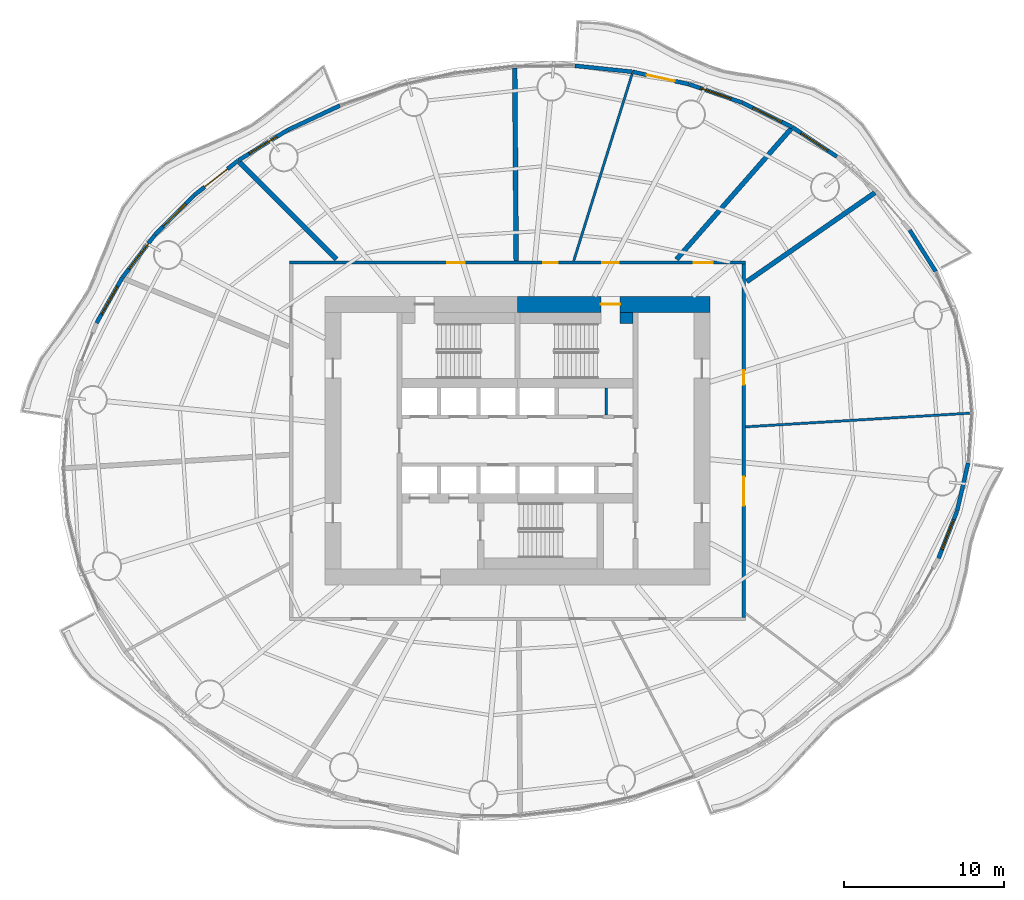
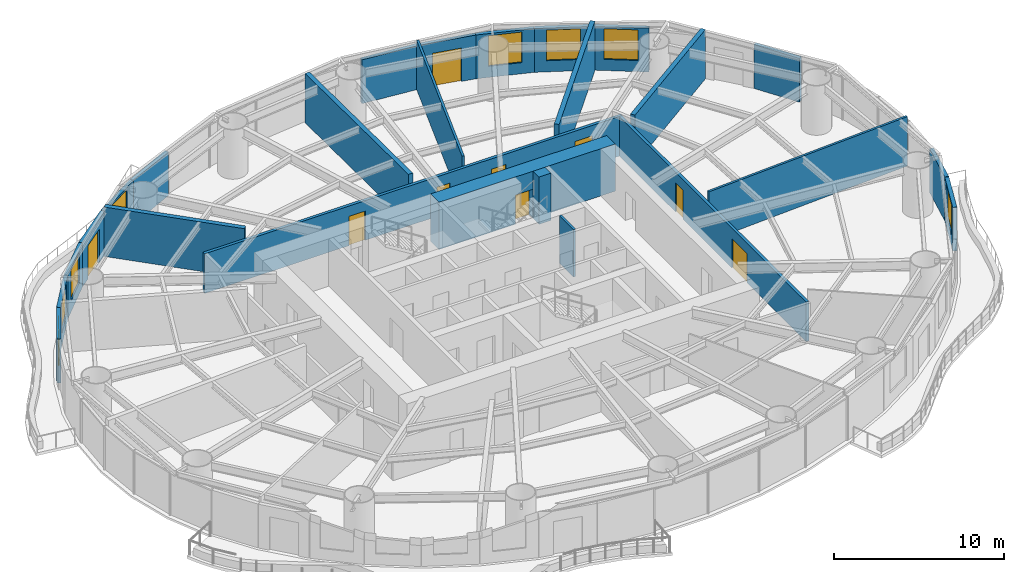
# One storey, part 10 of 16: 25 walls, 9 doors, 8 windows, 17 openings.
"""IFC4 building model written with IfcOpenShell, lengths in metres."""

import ifcopenshell
import ifcopenshell.guid

model = None  # the IFC model being written
_history = None  # IfcOwnerHistory: only IFC2X3 demands one
_inside = {}  # id of a spatial element -> (the spatial element, [elements in it])
_under = {}  # id of a project, library or spatial element -> (it, [spatial elements below it])
_declared = {}  # id of a project -> (the project, [libraries it declares])
_typed = {}  # id of a type object -> (the type object, [elements of that type])
_made_of = {}  # id of a material, layer set ... -> (it, [elements and type objects made of it])


def new_model(schema):
    """Start an empty IFC model of exactly this schema.

    Asked for "IFC4X3", IfcOpenShell would pick the latest addendum, in which some entities
    have other attributes; the version numbers below select the first issue.
    IFC2X3 requires an IfcOwnerHistory on every rooted entity: one is made here for all.
    """
    global model, _history
    if schema == "IFC4X3":
        model = ifcopenshell.file(schema_version=(4, 3, 0, 0))
    else:
        model = ifcopenshell.file(schema=schema)
    _inside.clear()
    _under.clear()
    _declared.clear()
    _typed.clear()
    _made_of.clear()
    _history = None
    if model.schema == "IFC2X3":
        org = make("IfcOrganization", Name="unknown")
        user = make(
            "IfcPersonAndOrganization",
            ThePerson=make("IfcPerson", FamilyName="unknown"),
            TheOrganization=org,
        )
        app = make(
            "IfcApplication",
            ApplicationDeveloper=org,
            Version="unknown",
            ApplicationFullName="unknown",
            ApplicationIdentifier="unknown",
        )
        _history = make(
            "IfcOwnerHistory",
            OwningUser=user,
            OwningApplication=app,
            ChangeAction="ADDED",
            CreationDate=0,
        )
    return model


def make(cls, **values):
    """One entity of the class cls with the attributes given. An attribute that is None is left unset."""
    return model.create_entity(
        cls, **{name: value for name, value in values.items() if value is not None}
    )


def rooted(cls, **values):
    """An entity with a GlobalId (a new one), such as an element, a storey or a relation."""
    return make(cls, GlobalId=ifcopenshell.guid.new(), OwnerHistory=_history, **values)


def si_unit(unit_type, name, prefix=None):
    """IfcSIUnit, for example si_unit("LENGTHUNIT", "METRE", prefix="MILLI")."""
    return make("IfcSIUnit", UnitType=unit_type, Prefix=prefix, Name=name)


def assignment(units):
    """IfcUnitAssignment: the units of a project."""
    return None if units is None else make("IfcUnitAssignment", Units=units)


def point(xyz):
    """IfcCartesianPoint."""
    return None if xyz is None else make("IfcCartesianPoint", Coordinates=xyz)


def direction(xyz):
    """IfcDirection."""
    return None if xyz is None else make("IfcDirection", DirectionRatios=xyz)


def frame(location, z_axis=None, x_axis=None):
    """IfcAxis2Placement3D, a coordinate frame: its origin and axes. An axis left out is left unset."""
    return make(
        "IfcAxis2Placement3D",
        Location=point(location),
        Axis=direction(z_axis),
        RefDirection=direction(x_axis),
    )


def frame_2d(location, x_axis=None):
    """IfcAxis2Placement2D, a coordinate frame in the plane: its origin and x axis."""
    return make(
        "IfcAxis2Placement2D", Location=point(location), RefDirection=direction(x_axis)
    )


def origin():
    """The frame at (0, 0, 0) with its axes left unset."""
    return frame((0.0, 0.0, 0.0))


def place(relative_to, where):
    """IfcLocalPlacement: puts the frame where relative to a parent placement (None: the world)."""
    return make(
        "IfcLocalPlacement", PlacementRelTo=relative_to, RelativePlacement=where
    )


def context(
    kind, dimensions, precision=None, world=None, true_north=None, identifier=None
):
    """IfcGeometricRepresentationContext, for example the 3D "Model" context."""
    return make(
        "IfcGeometricRepresentationContext",
        ContextIdentifier=identifier,
        ContextType=kind,
        CoordinateSpaceDimension=dimensions,
        Precision=precision,
        WorldCoordinateSystem=world,
        TrueNorth=true_north,
    )


def subcontext(parent, identifier, kind, view, scale=None):
    """IfcGeometricRepresentationSubContext, for example "Body" below "Model"."""
    return make(
        "IfcGeometricRepresentationSubContext",
        ContextIdentifier=identifier,
        ContextType=kind,
        ParentContext=parent,
        TargetScale=scale,
        TargetView=view,
    )


def project(units=None, contexts=None):
    """IfcProject with its units and contexts."""
    return rooted(
        "IfcProject",
        Name="project",
        RepresentationContexts=contexts,
        UnitsInContext=assignment(units),
    )


def spatial(cls, under=None, at=None, **own):
    """A site, building, storey or space (cls), placed at a placement, below another one or the project."""
    s = rooted(cls, ObjectPlacement=at, **own)
    if under is not None:
        _under.setdefault(under.id(), (under, []))[1].append(s)
    return s


def profile(cls, at=None, kind="AREA", **sizes):
    """A parametric profile (cls). Its sizes go by their IFC names, for example OverallWidth=200.0."""
    return make(cls, ProfileType=kind, Position=at, **sizes)


def rectangle(**sizes):
    """IfcRectangleProfileDef."""
    return profile("IfcRectangleProfileDef", **sizes)


def extrude(swept, where, along, depth):
    """IfcExtrudedAreaSolid: the profile swept, set in the frame where, extruded along a direction by depth."""
    return make(
        "IfcExtrudedAreaSolid",
        SweptArea=swept,
        Position=where,
        ExtrudedDirection=direction(along),
        Depth=depth,
    )


def shape(context_of_items, identifier, shape_type, items):
    """IfcShapeRepresentation: the items that make up one representation, for example the "Body"."""
    return make(
        "IfcShapeRepresentation",
        ContextOfItems=context_of_items,
        RepresentationIdentifier=identifier,
        RepresentationType=shape_type,
        Items=items,
    )


def material(Name=None, Category=None):
    """IfcMaterial."""
    return make("IfcMaterial", Name=Name, Category=Category)


def layer(
    of_material, thickness, ventilated=None, Name=None, Category=None, Priority=None
):
    """IfcMaterialLayer: one layer of a wall or slab, of a material (None: an air gap)."""
    return make(
        "IfcMaterialLayer",
        Material=of_material,
        LayerThickness=thickness,
        IsVentilated=ventilated,
        Name=Name,
        Category=Category,
        Priority=Priority,
    )


def layer_set(layers, Name=None):
    """IfcMaterialLayerSet."""
    return make("IfcMaterialLayerSet", MaterialLayers=layers, LayerSetName=Name)


def made_of(thing, what):
    """Note that an element or type object is made of a material, layer set ...; save() writes the relation."""
    if what is not None:
        _made_of.setdefault(what.id(), (what, []))[1].append(thing)
    return thing


def type_object(cls, material=None, **own):
    """A type object (cls), such as IfcWallType, which elements share."""
    return made_of(rooted(cls, **own), material)


def element(
    cls,
    number,
    at=None,
    inside=None,
    cuts=None,
    type_object=None,
    material=None,
    context=None,
    identifier="Body",
    shape_type=None,
    held_by="IfcProductDefinitionShape",
    body=None,
    shapes=None,
    **own,
):
    """One element of the class cls, such as IfcWall. Its Tag is "e" and its number.

    at: its placement. inside: the storey or other place that contains it. cuts: it is an
    opening in that element (IfcRelVoidsElement). A single representation is given by context,
    identifier, shape_type and body (its items); several are given by shapes. held_by: the class
    of the entity that holds the representations. save() writes the other relations.
    """
    e = rooted(cls, Tag="e%d" % number, ObjectPlacement=at, **own)
    if body is not None:
        shapes = [shape(context, identifier, shape_type, body)]
    if shapes is not None:
        e.Representation = make(held_by, Representations=shapes)
    if inside is not None:
        _inside.setdefault(inside.id(), (inside, []))[1].append(e)
    if cuts is not None:
        rooted(
            "IfcRelVoidsElement", RelatingBuildingElement=cuts, RelatedOpeningElement=e
        )
    if type_object is not None:
        _typed.setdefault(type_object.id(), (type_object, []))[1].append(e)
    return made_of(e, material)


def fill(opening, filler):
    """IfcRelFillsElement: the door or window that sits in an opening."""
    return rooted(
        "IfcRelFillsElement",
        RelatingOpeningElement=opening,
        RelatedBuildingElement=filler,
    )


def aggregate(whole, parts):
    """IfcRelAggregates: a whole, such as a stair, and the parts it consists of."""
    return rooted("IfcRelAggregates", RelatingObject=whole, RelatedObjects=parts)


def save(model, path):
    """Write the relations noted so far, then the file.

    IfcRelAggregates (storeys below a building ...), IfcRelContainedInSpatialStructure (elements
    in a storey), IfcRelDefinesByType, IfcRelAssociatesMaterial and IfcRelDeclares: one each for
    every whole, place, type object, material and project.
    """
    for whole, parts in _under.values():
        aggregate(whole, parts)
    for where, things in _inside.values():
        rooted(
            "IfcRelContainedInSpatialStructure",
            RelatedElements=things,
            RelatingStructure=where,
        )
    for kind, things in _typed.values():
        rooted("IfcRelDefinesByType", RelatedObjects=things, RelatingType=kind)
    for what, things in _made_of.values():
        rooted("IfcRelAssociatesMaterial", RelatedObjects=things, RelatingMaterial=what)
    for by, libraries in _declared.values():
        rooted("IfcRelDeclares", RelatingContext=by, RelatedDefinitions=libraries)
    model.write(path)


model = new_model("IFC4")

# Units and contexts
model_context = context("Model", 3, precision=1e-05, world=origin(), true_north=direction((0.0, 1.0)))
body_context = subcontext(model_context, "Body", "Model", "MODEL_VIEW")
ifc_project = project(units=[si_unit("LENGTHUNIT", "METRE"), si_unit("AREAUNIT", "SQUARE_METRE"), si_unit("VOLUMEUNIT", "CUBIC_METRE"), si_unit("PLANEANGLEUNIT", "RADIAN"), si_unit("MASSUNIT", "GRAM", prefix="KILO")], contexts=[model_context])

# Site, building, storey
site_placement = place(None, origin())
site = spatial("IfcSite", under=ifc_project, at=site_placement, CompositionType="ELEMENT")
building_placement = place(site_placement, origin())
building = spatial("IfcBuilding", under=site, at=building_placement, Name="Vermilion Reach Broadcast Tower", CompositionType="ELEMENT")
storey_placement = place(building_placement, frame((0.0, 0.0, 73.0)))
storey = spatial("IfcBuildingStorey", under=building, at=storey_placement, Name="L15", CompositionType="ELEMENT", Elevation=73.0)

# Wall, opening, door
ifc_material_1 = material(Name="Concrete C70", Category="concrete")
ifc_layer_1 = layer(ifc_material_1, 1.0)
ifc_layer_set_1 = layer_set([ifc_layer_1], Name="Core outer wall 1000 mm Concrete C70")
wall_type_1 = type_object("IfcWallType", Name="Core outer wall 1000 mm Concrete C70", PredefinedType="SHEAR", material=ifc_layer_set_1)
wall_1_placement = place(storey_placement, frame((6.0, 8.5, 0.0), z_axis=(0.0, 0.0, 1.0), x_axis=(-1.0, 0.0, 0.0)))
wall_1 = element("IfcWall", 1, at=wall_1_placement, inside=storey, type_object=wall_type_1, Name="L15 core wall onE", PredefinedType="SHEAR", context=body_context, shape_type="SweptSolid", body=[
    extrude(rectangle(XDim=12.0, YDim=1.0, at=frame_2d((6.0, 0.0))), origin(), (0.0, 0.0, 1.0), 3.39990234375),
])
opening_1_placement = place(wall_1_placement, frame((5.60009765625, 0.0, 0.0)))
opening_1 = element("IfcOpeningElement", 2, at=opening_1_placement, cuts=wall_1, Name="Opening D01", PredefinedType="OPENING", context=body_context, shape_type="SweptSolid", body=[
    extrude(rectangle(XDim=1.199951171875, YDim=2.10009765625, at=frame_2d((0.60009765625, 1.050048828125))), frame((0.0, 0.510009765625, 0.0), z_axis=(0.0, -1.0, 0.0), x_axis=(1.0, 0.0, 0.0)), (0.0, 0.0, 1.0), 1.02001953125),
])
ifc_material_2 = material(Name="Painted steel fire door", Category="steel")
door_type_1 = type_object("IfcDoorType", Name="Stair door 1200 x 2100", OperationType="DOUBLE_DOOR_SINGLE_SWING", PredefinedType="NOTDEFINED", material=ifc_material_2)
door_1_placement = place(opening_1_placement, origin())
door_1 = element("IfcDoor", 3, at=door_1_placement, inside=storey, type_object=door_type_1, Name="L15 stair door ST2", OperationType="DOUBLE_DOOR_SINGLE_SWING", OverallHeight=2.10009765625, OverallWidth=1.199951171875, PredefinedType="NOTDEFINED", context=body_context, shape_type="SweptSolid", body=[
    extrude(rectangle(XDim=1.199951171875, YDim=2.10009765625, at=frame_2d((0.60009765625, 1.050048828125))), frame((0.0, 0.02490234375, 0.0), z_axis=(0.0, -1.0, 0.0), x_axis=(1.0, 0.0, 0.0)), (0.0, 0.0, 1.0), 0.050048828125),
])
fill(opening_1, door_1)

# Walls
ifc_material_3 = material(Name="Masonry block", Category="masonry")
ifc_layer_2 = layer(ifc_material_3, 0.14990234375)
ifc_layer_set_2 = layer_set([ifc_layer_2], Name="Core partition wall 150 mm Masonry block")
wall_type_2 = type_object("IfcWallType", Name="Core partition wall 150 mm Masonry block", PredefinedType="PARTITIONING", material=ifc_layer_set_2)
wall_2_placement = place(storey_placement, frame((-0.468017578125, 1.60009765625, 0.0), z_axis=(0.0, 0.0, 1.0), x_axis=(0.0, 1.0, 0.0)))
element("IfcWall", 4, at=wall_2_placement, inside=storey, type_object=wall_type_2, Name="L15 core wall prN5532", PredefinedType="PARTITIONING", context=body_context, shape_type="SweptSolid", body=[
    extrude(rectangle(XDim=1.679931640625, YDim=0.14990234375, at=frame_2d((0.83984375, 0.0))), origin(), (0.0, 0.0, 1.0), 3.39990234375),
])
ifc_material_4 = material(Name="Concrete C70", Category="concrete")
ifc_layer_3 = layer(ifc_material_4, 0.699951171875)
ifc_layer_set_3 = layer_set([ifc_layer_3], Name="Core stair wall 700 mm Concrete C70")
wall_type_3 = type_object("IfcWallType", Name="Core stair wall 700 mm Concrete C70", PredefinedType="SHEAR", material=ifc_layer_set_3)
wall_3_placement = place(storey_placement, frame((0.39990234375, 7.64990234375, 0.0), z_axis=(0.0, 0.0, 1.0), x_axis=(1.0, 0.0, 0.0)))
element("IfcWall", 5, at=wall_3_placement, inside=storey, type_object=wall_type_3, Name="L15 core wall l2b", PredefinedType="SHEAR", context=body_context, shape_type="SweptSolid", body=[
    extrude(rectangle(XDim=0.800048828125, YDim=0.699951171875, at=frame_2d((0.39990234375, 0.0))), origin(), (0.0, 0.0, 1.0), 3.39990234375),
])
ifc_material_5 = material(Name="Lightweight concrete block, plastered", Category="concrete")
ifc_layer_4 = layer(ifc_material_5, 0.14990234375)
ifc_layer_set_4 = layer_set([ifc_layer_4], Name="Partition 150 lightweight block")
wall_type_4 = type_object("IfcWallType", Name="Partition 150 lightweight block", PredefinedType="PARTITIONING", material=ifc_layer_set_4)
wall_4_placement = place(storey_placement, frame((1.148681640625, 22.86962890625, 0.0), z_axis=(0.0, 0.0, 1.0), x_axis=(-0.298358151033, -0.954453987216, 0.0)))
element("IfcWall", 6, at=wall_4_placement, inside=storey, type_object=wall_type_4, Name="Partition 15.03", PredefinedType="PARTITIONING", context=body_context, shape_type="SweptSolid", body=[
    extrude(rectangle(XDim=12.203125, YDim=0.14990234375, at=frame_2d((6.1015625, 0.0))), origin(), (0.0, 0.0, 1.0), 3.550048828125),
])
wall_5_placement = place(storey_placement, frame((22.184814453125, 1.717529296875, 0.0), z_axis=(0.0, 0.0, 1.0), x_axis=(-0.998148956611, -0.060816612989, 0.0)))
element("IfcWall", 7, at=wall_5_placement, inside=storey, type_object=wall_type_4, Name="Partition 15.13", PredefinedType="PARTITIONING", context=body_context, shape_type="SweptSolid", body=[
    extrude(rectangle(XDim=14.006103515625, YDim=0.14990234375, at=frame_2d((7.0029296875, 0.0))), origin(), (0.0, 0.0, 1.0), 3.550048828125),
])
ifc_material_6 = material(Name="Double-leaf plasterboard on isolated steel stud", Category="steel")
ifc_layer_5 = layer(ifc_material_6, 0.300048828125)
ifc_layer_set_5 = layer_set([ifc_layer_5], Name="Partition 300 acoustic double leaf")
wall_type_5 = type_object("IfcWallType", Name="Partition 300 acoustic double leaf", PredefinedType="PARTITIONING", material=ifc_layer_set_5)
wall_6_placement = place(storey_placement, frame((16.277099609375, 15.463134765625, 0.0), z_axis=(0.0, 0.0, 1.0), x_axis=(-0.821490466396, -0.57022224932, 0.0)))
element("IfcWall", 8, at=wall_6_placement, inside=storey, type_object=wall_type_5, Name="Partition 15.01", PredefinedType="PARTITIONING", context=body_context, shape_type="SweptSolid", body=[
    extrude(rectangle(XDim=9.72802734375, YDim=0.300048828125, at=frame_2d((4.864013671875, 0.0))), origin(), (0.0, 0.0, 1.0), 3.550048828125),
])
wall_7_placement = place(storey_placement, frame((11.051025390625, 19.441162109375, 0.0), z_axis=(0.0, 0.0, 1.0), x_axis=(-0.659383505789, -0.75180675196, 0.0)))
element("IfcWall", 9, at=wall_7_placement, inside=storey, type_object=wall_type_5, Name="Partition 15.02", PredefinedType="PARTITIONING", context=body_context, shape_type="SweptSolid", body=[
    extrude(rectangle(XDim=10.830322265625, YDim=0.300048828125, at=frame_2d((5.4150390625, 0.0))), origin(), (0.0, 0.0, 1.0), 3.550048828125),
])
wall_8_placement = place(storey_placement, frame((-6.169677734375, 23.2255859375, 0.0), z_axis=(0.0, 0.0, 1.0), x_axis=(0.007309152595, -0.999973287787, 0.0)))
element("IfcWall", 10, at=wall_8_placement, inside=storey, type_object=wall_type_5, Name="Partition 15.04", PredefinedType="PARTITIONING", context=body_context, shape_type="SweptSolid", body=[
    extrude(rectangle(XDim=12.024658203125, YDim=0.300048828125, at=frame_2d((6.01220703125, 0.0))), origin(), (0.0, 0.0, 1.0), 3.550048828125),
])
wall_9_placement = place(storey_placement, frame((-23.328125, 17.366455078125, 0.0), z_axis=(0.0, 0.0, 1.0), x_axis=(0.706322145965, -0.707890546709, 0.0)))
element("IfcWall", 11, at=wall_9_placement, inside=storey, type_object=wall_type_5, Name="Partition 15.05", PredefinedType="PARTITIONING", context=body_context, shape_type="SweptSolid", body=[
    extrude(rectangle(XDim=8.5615234375, YDim=0.300048828125, at=frame_2d((4.28076171875, 0.0))), origin(), (0.0, 0.0, 1.0), 3.550048828125),
])
ifc_material_7 = material(Name="Terracotta rainscreen cladding", Category="masonry")
ifc_layer_6 = layer(ifc_material_7, 0.25)
ifc_layer_set_6 = layer_set([ifc_layer_6], Name="Terracotta rainscreen wall 250")
wall_type_6 = type_object("IfcWallType", Name="Terracotta rainscreen wall 250", PredefinedType="SOLIDWALL", material=ifc_layer_set_6)
wall_10_placement = place(storey_placement, frame((20.0625, 10.547607421875, 0.0), z_axis=(0.0, 0.0, 1.0), x_axis=(-0.531461731017, 0.847082303241, 0.0)))
element("IfcWall", 12, at=wall_10_placement, inside=storey, type_object=wall_type_6, Name="External wall L15 02", PredefinedType="SOLIDWALL", context=body_context, shape_type="SweptSolid", body=[
    extrude(rectangle(XDim=3.0439453125, YDim=0.25, at=frame_2d((1.52197265625, 0.0))), origin(), (0.0, 0.0, 1.0), 3.14990234375),
])

# Wall, opening, window
wall_11_placement = place(storey_placement, frame((13.900146484375, 17.7080078125, 0.0), z_axis=(0.0, 0.0, 1.0), x_axis=(-0.834288934292, 0.551327465413, 0.0)))
wall_11 = element("IfcWall", 13, at=wall_11_placement, inside=storey, type_object=wall_type_6, Name="External wall L15 05", PredefinedType="SOLIDWALL", context=body_context, shape_type="SweptSolid", body=[
    extrude(rectangle(XDim=3.32861328125, YDim=0.25, at=frame_2d((1.664306640625, 0.0))), origin(), (0.0, 0.0, 1.0), 3.14990234375),
])
opening_2_placement = place(wall_11_placement, frame((0.664306640625, 0.0, 0.800048828125)))
opening_2 = element("IfcOpeningElement", 14, at=opening_2_placement, cuts=wall_11, Name="Opening W01", PredefinedType="OPENING", context=body_context, shape_type="SweptSolid", body=[
    extrude(rectangle(XDim=2.0, YDim=2.199951171875, at=frame_2d((1.0, 1.10009765625))), frame((0.0, 0.135009765625, 0.0), z_axis=(0.0, -1.0, 0.0), x_axis=(1.0, 0.0, 0.0)), (0.0, 0.0, 1.0), 0.27001953125),
])
ifc_material_8 = material(Name="Low-e laminated clear glass in aluminium frame", Category="aluminium")
window_type = type_object("IfcWindowType", Name="Punched window 2000 x 2200 sill 800", PartitioningType="SINGLE_PANEL", PredefinedType="WINDOW", material=ifc_material_8)
window_1_placement = place(opening_2_placement, origin())
window_1 = element("IfcWindow", 15, at=window_1_placement, inside=storey, type_object=window_type, Name="Window L15 05", OverallHeight=2.199951171875, OverallWidth=2.0, PartitioningType="SINGLE_PANEL", PredefinedType="WINDOW", context=body_context, shape_type="SweptSolid", body=[
    extrude(rectangle(XDim=2.0, YDim=2.199951171875, at=frame_2d((1.0, 1.10009765625))), frame((0.0, 0.030029296875, 0.0), z_axis=(0.0, -1.0, 0.0), x_axis=(1.0, 0.0, 0.0)), (0.0, 0.0, 1.0), 0.06005859375),
])
fill(opening_2, window_1)

wall_12_placement = place(storey_placement, frame((11.10205078125, 19.55517578125, 0.0), z_axis=(0.0, 0.0, 1.0), x_axis=(-0.89802471606, 0.439945007184, 0.0)))
wall_12 = element("IfcWall", 16, at=wall_12_placement, inside=storey, type_object=wall_type_6, Name="External wall L15 06", PredefinedType="SOLIDWALL", context=body_context, shape_type="SweptSolid", body=[
    extrude(rectangle(XDim=3.41943359375, YDim=0.25, at=frame_2d((1.709716796875, 0.0))), origin(), (0.0, 0.0, 1.0), 3.14990234375),
])
opening_3_placement = place(wall_12_placement, frame((0.709716796875, 0.0, 0.800048828125)))
opening_3 = element("IfcOpeningElement", 17, at=opening_3_placement, cuts=wall_12, Name="Opening W01", PredefinedType="OPENING", context=body_context, shape_type="SweptSolid", body=[
    extrude(rectangle(XDim=2.0, YDim=2.199951171875, at=frame_2d((1.0, 1.10009765625))), frame((0.0, 0.135009765625, 0.0), z_axis=(0.0, -1.0, 0.0), x_axis=(1.0, 0.0, 0.0)), (0.0, 0.0, 1.0), 0.27001953125),
])
window_2_placement = place(opening_3_placement, origin())
window_2 = element("IfcWindow", 18, at=window_2_placement, inside=storey, type_object=window_type, Name="Window L15 06", OverallHeight=2.199951171875, OverallWidth=2.0, PartitioningType="SINGLE_PANEL", PredefinedType="WINDOW", context=body_context, shape_type="SweptSolid", body=[
    extrude(rectangle(XDim=2.0, YDim=2.199951171875, at=frame_2d((1.0, 1.10009765625))), frame((0.0, 0.030029296875, 0.0), z_axis=(0.0, -1.0, 0.0), x_axis=(1.0, 0.0, 0.0)), (0.0, 0.0, 1.0), 0.06005859375),
])
fill(opening_3, window_2)

wall_13_placement = place(storey_placement, frame((8.009765625, 21.068603515625, 0.0), z_axis=(0.0, 0.0, 1.0), x_axis=(-0.944948803813, 0.327218211861, 0.0)))
wall_13 = element("IfcWall", 19, at=wall_13_placement, inside=storey, type_object=wall_type_6, Name="External wall L15 07", PredefinedType="SOLIDWALL", context=body_context, shape_type="SweptSolid", body=[
    extrude(rectangle(XDim=3.505126953125, YDim=0.25, at=frame_2d((1.75244140625, 0.0))), origin(), (0.0, 0.0, 1.0), 3.14990234375),
])
opening_4_placement = place(wall_13_placement, frame((0.752685546875, 0.0, 0.800048828125)))
opening_4 = element("IfcOpeningElement", 20, at=opening_4_placement, cuts=wall_13, Name="Opening W01", PredefinedType="OPENING", context=body_context, shape_type="SweptSolid", body=[
    extrude(rectangle(XDim=2.0, YDim=2.199951171875, at=frame_2d((1.0, 1.10009765625))), frame((0.0, 0.135009765625, 0.0), z_axis=(0.0, -1.0, 0.0), x_axis=(1.0, 0.0, 0.0)), (0.0, 0.0, 1.0), 0.27001953125),
])
window_3_placement = place(opening_4_placement, origin())
window_3 = element("IfcWindow", 21, at=window_3_placement, inside=storey, type_object=window_type, Name="Window L15 07", OverallHeight=2.199951171875, OverallWidth=2.0, PartitioningType="SINGLE_PANEL", PredefinedType="WINDOW", context=body_context, shape_type="SweptSolid", body=[
    extrude(rectangle(XDim=2.0, YDim=2.199951171875, at=frame_2d((1.0, 1.10009765625))), frame((0.0, 0.030029296875, 0.0), z_axis=(0.0, -1.0, 0.0), x_axis=(1.0, 0.0, 0.0)), (0.0, 0.0, 1.0), 0.06005859375),
])
fill(opening_4, window_3)

# Wall, opening, door
wall_14_placement = place(storey_placement, frame((4.67578125, 22.2216796875, 0.0), z_axis=(0.0, 0.0, 1.0), x_axis=(-0.976653338545, 0.214821452162, 0.0)))
wall_14 = element("IfcWall", 22, at=wall_14_placement, inside=storey, type_object=wall_type_6, Name="External wall L15 08", PredefinedType="SOLIDWALL", context=body_context, shape_type="SweptSolid", body=[
    extrude(rectangle(XDim=3.579833984375, YDim=0.25, at=frame_2d((1.7900390625, 0.0))), origin(), (0.0, 0.0, 1.0), 3.14990234375),
])
opening_5_placement = place(wall_14_placement, frame((0.889892578125, 0.0, 0.0)))
opening_5 = element("IfcOpeningElement", 23, at=opening_5_placement, cuts=wall_14, Name="Opening D70", PredefinedType="OPENING", context=body_context, shape_type="SweptSolid", body=[
    extrude(rectangle(XDim=1.800048828125, YDim=2.39990234375, at=frame_2d((0.89990234375, 1.199951171875))), frame((0.0, 0.135009765625, 0.0), z_axis=(0.0, -1.0, 0.0), x_axis=(1.0, 0.0, 0.0)), (0.0, 0.0, 1.0), 0.27001953125),
])
ifc_material_9 = material(Name="Low-e laminated clear glass in aluminium frame", Category="aluminium")
door_type_2 = type_object("IfcDoorType", Name="Balcony sliding door 1800 x 2400", OperationType="DOUBLE_DOOR_SLIDING", PredefinedType="DOOR", material=ifc_material_9)
door_2_placement = place(opening_5_placement, origin())
door_2 = element("IfcDoor", 24, at=door_2_placement, inside=storey, type_object=door_type_2, Name="Balcony door L15 run 02", OperationType="DOUBLE_DOOR_SLIDING", OverallHeight=2.39990234375, OverallWidth=1.800048828125, PredefinedType="DOOR", context=body_context, shape_type="SweptSolid", body=[
    extrude(rectangle(XDim=1.800048828125, YDim=2.39990234375, at=frame_2d((0.89990234375, 1.199951171875))), frame((0.0, 0.02490234375, 0.0), z_axis=(0.0, -1.0, 0.0), x_axis=(1.0, 0.0, 0.0)), (0.0, 0.0, 1.0), 0.050048828125),
])
fill(opening_5, door_2)

# Walls
wall_15_placement = place(storey_placement, frame((1.157470703125, 22.994384765625, 0.0), z_axis=(0.0, 0.0, 1.0), x_axis=(-0.994624966302, 0.10354311377, 0.0)))
element("IfcWall", 25, at=wall_15_placement, inside=storey, type_object=wall_type_6, Name="External wall L15 09", PredefinedType="SOLIDWALL", context=body_context, shape_type="SweptSolid", body=[
    extrude(rectangle(XDim=3.595703125, YDim=0.25, at=frame_2d((1.7978515625, 0.0))), origin(), (0.0, 0.0, 1.0), 3.14990234375),
])
wall_16_placement = place(storey_placement, frame((-17.06640625, 20.889404296875, 0.0), z_axis=(0.0, 0.0, 1.0), x_axis=(-0.905219888946, -0.424943469955, 0.0)))
element("IfcWall", 26, at=wall_16_placement, inside=storey, type_object=wall_type_6, Name="External wall L15 14", PredefinedType="SOLIDWALL", context=body_context, shape_type="SweptSolid", body=[
    extrude(rectangle(XDim=3.595947265625, YDim=0.25, at=frame_2d((1.7978515625, 0.0))), origin(), (0.0, 0.0, 1.0), 3.14990234375),
])

# Wall, opening, window
wall_17_placement = place(storey_placement, frame((-20.3408203125, 19.350830078125, 0.0), z_axis=(0.0, 0.0, 1.0), x_axis=(-0.851723868461, -0.523990889132, 0.0)))
wall_17 = element("IfcWall", 27, at=wall_17_placement, inside=storey, type_object=wall_type_6, Name="External wall L15 15", PredefinedType="SOLIDWALL", context=body_context, shape_type="SweptSolid", body=[
    extrude(rectangle(XDim=3.580078125, YDim=0.25, at=frame_2d((1.7900390625, 0.0))), origin(), (0.0, 0.0, 1.0), 3.14990234375),
])
opening_6_placement = place(wall_17_placement, frame((0.7900390625, 0.0, 0.800048828125)))
opening_6 = element("IfcOpeningElement", 28, at=opening_6_placement, cuts=wall_17, Name="Opening W01", PredefinedType="OPENING", context=body_context, shape_type="SweptSolid", body=[
    extrude(rectangle(XDim=2.0, YDim=2.199951171875, at=frame_2d((1.0, 1.10009765625))), frame((0.0, 0.135009765625, 0.0), z_axis=(0.0, -1.0, 0.0), x_axis=(1.0, 0.0, 0.0)), (0.0, 0.0, 1.0), 0.27001953125),
])
window_4_placement = place(opening_6_placement, origin())
window_4 = element("IfcWindow", 29, at=window_4_placement, inside=storey, type_object=window_type, Name="Window L15 15", OverallHeight=2.199951171875, OverallWidth=2.0, PartitioningType="SINGLE_PANEL", PredefinedType="WINDOW", context=body_context, shape_type="SweptSolid", body=[
    extrude(rectangle(XDim=2.0, YDim=2.199951171875, at=frame_2d((1.0, 1.10009765625))), frame((0.0, 0.030029296875, 0.0), z_axis=(0.0, -1.0, 0.0), x_axis=(1.0, 0.0, 0.0)), (0.0, 0.0, 1.0), 0.06005859375),
])
fill(opening_6, window_4)

# Wall, opening, door
wall_18_placement = place(storey_placement, frame((-23.408447265625, 17.4619140625, 0.0), z_axis=(0.0, 0.0, 1.0), x_axis=(-0.784747250061, -0.619815902928, 0.0)))
wall_18 = element("IfcWall", 30, at=wall_18_placement, inside=storey, type_object=wall_type_6, Name="External wall L15 16", PredefinedType="SOLIDWALL", context=body_context, shape_type="SweptSolid", body=[
    extrude(rectangle(XDim=3.505126953125, YDim=0.25, at=frame_2d((1.75244140625, 0.0))), origin(), (0.0, 0.0, 1.0), 3.14990234375),
])
opening_7_placement = place(wall_18_placement, frame((0.85302734375, 0.0, 0.0)))
opening_7 = element("IfcOpeningElement", 31, at=opening_7_placement, cuts=wall_18, Name="Opening D70", PredefinedType="OPENING", context=body_context, shape_type="SweptSolid", body=[
    extrude(rectangle(XDim=1.800048828125, YDim=2.39990234375, at=frame_2d((0.89990234375, 1.199951171875))), frame((0.0, 0.135009765625, 0.0), z_axis=(0.0, -1.0, 0.0), x_axis=(1.0, 0.0, 0.0)), (0.0, 0.0, 1.0), 0.27001953125),
])
door_3_placement = place(opening_7_placement, origin())
door_3 = element("IfcDoor", 32, at=door_3_placement, inside=storey, type_object=door_type_2, Name="Balcony door L15 run 04", OperationType="DOUBLE_DOOR_SLIDING", OverallHeight=2.39990234375, OverallWidth=1.800048828125, PredefinedType="DOOR", context=body_context, shape_type="SweptSolid", body=[
    extrude(rectangle(XDim=1.800048828125, YDim=2.39990234375, at=frame_2d((0.89990234375, 1.199951171875))), frame((0.0, 0.02490234375, 0.0), z_axis=(0.0, -1.0, 0.0), x_axis=(1.0, 0.0, 0.0)), (0.0, 0.0, 1.0), 0.050048828125),
])
fill(opening_7, door_3)

# Wall, opening, window
wall_19_placement = place(storey_placement, frame((-26.176513671875, 15.27392578125, 0.0), z_axis=(0.0, 0.0, 1.0), x_axis=(-0.703348795403, -0.710844900105, 0.0)))
wall_19 = element("IfcWall", 33, at=wall_19_placement, inside=storey, type_object=wall_type_6, Name="External wall L15 17", PredefinedType="SOLIDWALL", context=body_context, shape_type="SweptSolid", body=[
    extrude(rectangle(XDim=3.419677734375, YDim=0.25, at=frame_2d((1.7099609375, 0.0))), origin(), (0.0, 0.0, 1.0), 3.14990234375),
])
opening_8_placement = place(wall_19_placement, frame((0.709716796875, 0.0, 0.800048828125)))
opening_8 = element("IfcOpeningElement", 34, at=opening_8_placement, cuts=wall_19, Name="Opening W01", PredefinedType="OPENING", context=body_context, shape_type="SweptSolid", body=[
    extrude(rectangle(XDim=2.0, YDim=2.199951171875, at=frame_2d((1.0, 1.10009765625))), frame((0.0, 0.135009765625, 0.0), z_axis=(0.0, -1.0, 0.0), x_axis=(1.0, 0.0, 0.0)), (0.0, 0.0, 1.0), 0.27001953125),
])
window_5_placement = place(opening_8_placement, origin())
window_5 = element("IfcWindow", 35, at=window_5_placement, inside=storey, type_object=window_type, Name="Window L15 17", OverallHeight=2.199951171875, OverallWidth=2.0, PartitioningType="SINGLE_PANEL", PredefinedType="WINDOW", context=body_context, shape_type="SweptSolid", body=[
    extrude(rectangle(XDim=2.0, YDim=2.199951171875, at=frame_2d((1.0, 1.10009765625))), frame((0.0, 0.030029296875, 0.0), z_axis=(0.0, -1.0, 0.0), x_axis=(1.0, 0.0, 0.0)), (0.0, 0.0, 1.0), 0.06005859375),
])
fill(opening_8, window_5)

wall_20_placement = place(storey_placement, frame((-28.59765625, 12.824951171875, 0.0), z_axis=(0.0, 0.0, 1.0), x_axis=(-0.606551340404, -0.795044320433, 0.0)))
wall_20 = element("IfcWall", 36, at=wall_20_placement, inside=storey, type_object=wall_type_6, Name="External wall L15 18", PredefinedType="SOLIDWALL", context=body_context, shape_type="SweptSolid", body=[
    extrude(rectangle(XDim=3.32861328125, YDim=0.25, at=frame_2d((1.664306640625, 0.0))), origin(), (0.0, 0.0, 1.0), 3.14990234375),
])
opening_9_placement = place(wall_20_placement, frame((0.664306640625, 0.0, 0.800048828125)))
opening_9 = element("IfcOpeningElement", 37, at=opening_9_placement, cuts=wall_20, Name="Opening W01", PredefinedType="OPENING", context=body_context, shape_type="SweptSolid", body=[
    extrude(rectangle(XDim=2.0, YDim=2.199951171875, at=frame_2d((1.0, 1.10009765625))), frame((0.0, 0.135009765625, 0.0), z_axis=(0.0, -1.0, 0.0), x_axis=(1.0, 0.0, 0.0)), (0.0, 0.0, 1.0), 0.27001953125),
])
window_6_placement = place(opening_9_placement, origin())
window_6 = element("IfcWindow", 38, at=window_6_placement, inside=storey, type_object=window_type, Name="Window L15 18", OverallHeight=2.199951171875, OverallWidth=2.0, PartitioningType="SINGLE_PANEL", PredefinedType="WINDOW", context=body_context, shape_type="SweptSolid", body=[
    extrude(rectangle(XDim=2.0, YDim=2.199951171875, at=frame_2d((1.0, 1.10009765625))), frame((0.0, 0.030029296875, 0.0), z_axis=(0.0, -1.0, 0.0), x_axis=(1.0, 0.0, 0.0)), (0.0, 0.0, 1.0), 0.06005859375),
])
fill(opening_9, window_6)

wall_21_placement = place(storey_placement, frame((-30.63037109375, 10.157958984375, 0.0), z_axis=(0.0, 0.0, 1.0), x_axis=(-0.49387210609, -0.86953455528, 0.0)))
wall_21 = element("IfcWall", 39, at=wall_21_placement, inside=storey, type_object=wall_type_6, Name="External wall L15 19", PredefinedType="SOLIDWALL", context=body_context, shape_type="SweptSolid", body=[
    extrude(rectangle(XDim=3.238525390625, YDim=0.25, at=frame_2d((1.619140625, 0.0))), origin(), (0.0, 0.0, 1.0), 3.14990234375),
])
opening_10_placement = place(wall_21_placement, frame((0.619140625, 0.0, 0.800048828125)))
opening_10 = element("IfcOpeningElement", 40, at=opening_10_placement, cuts=wall_21, Name="Opening W01", PredefinedType="OPENING", context=body_context, shape_type="SweptSolid", body=[
    extrude(rectangle(XDim=2.0, YDim=2.199951171875, at=frame_2d((1.0, 1.10009765625))), frame((0.0, 0.135009765625, 0.0), z_axis=(0.0, -1.0, 0.0), x_axis=(1.0, 0.0, 0.0)), (0.0, 0.0, 1.0), 0.27001953125),
])
window_7_placement = place(opening_10_placement, origin())
window_7 = element("IfcWindow", 41, at=window_7_placement, inside=storey, type_object=window_type, Name="Window L15 19", OverallHeight=2.199951171875, OverallWidth=2.0, PartitioningType="SINGLE_PANEL", PredefinedType="WINDOW", context=body_context, shape_type="SweptSolid", body=[
    extrude(rectangle(XDim=2.0, YDim=2.199951171875, at=frame_2d((1.0, 1.10009765625))), frame((0.0, 0.030029296875, 0.0), z_axis=(0.0, -1.0, 0.0), x_axis=(1.0, 0.0, 0.0)), (0.0, 0.0, 1.0), 0.06005859375),
])
fill(opening_10, window_7)

wall_22_placement = place(storey_placement, frame((20.240966796875, -7.31884765625, 0.0), z_axis=(0.0, 0.0, 1.0), x_axis=(0.365472806346, 0.930822017263, 0.0)))
wall_22 = element("IfcWall", 42, at=wall_22_placement, inside=storey, type_object=wall_type_6, Name="External wall L15 44", PredefinedType="SOLIDWALL", context=body_context, shape_type="SweptSolid", body=[
    extrude(rectangle(XDim=3.155029296875, YDim=0.25, at=frame_2d((1.57763671875, 0.0))), origin(), (0.0, 0.0, 1.0), 3.14990234375),
])
opening_11_placement = place(wall_22_placement, frame((0.577392578125, 0.0, 0.800048828125)))
opening_11 = element("IfcOpeningElement", 43, at=opening_11_placement, cuts=wall_22, Name="Opening W01", PredefinedType="OPENING", context=body_context, shape_type="SweptSolid", body=[
    extrude(rectangle(XDim=2.0, YDim=2.199951171875, at=frame_2d((1.0, 1.10009765625))), frame((0.0, 0.135009765625, 0.0), z_axis=(0.0, -1.0, 0.0), x_axis=(1.0, 0.0, 0.0)), (0.0, 0.0, 1.0), 0.27001953125),
])
window_8_placement = place(opening_11_placement, origin())
window_8 = element("IfcWindow", 44, at=window_8_placement, inside=storey, type_object=window_type, Name="Window L15 44", OverallHeight=2.199951171875, OverallWidth=2.0, PartitioningType="SINGLE_PANEL", PredefinedType="WINDOW", context=body_context, shape_type="SweptSolid", body=[
    extrude(rectangle(XDim=2.0, YDim=2.199951171875, at=frame_2d((1.0, 1.10009765625))), frame((0.0, 0.030029296875, 0.0), z_axis=(0.0, -1.0, 0.0), x_axis=(1.0, 0.0, 0.0)), (0.0, 0.0, 1.0), 0.06005859375),
])
fill(opening_11, window_8)

# Wall
wall_23_placement = place(storey_placement, frame((21.40185546875, -4.356689453125, 0.0), z_axis=(0.0, 0.0, 1.0), x_axis=(0.223295188231, 0.974750870178, 0.0)))
element("IfcWall", 45, at=wall_23_placement, inside=storey, type_object=wall_type_6, Name="External wall L15 45", PredefinedType="SOLIDWALL", context=body_context, shape_type="SweptSolid", body=[
    extrude(rectangle(XDim=3.0439453125, YDim=0.25, at=frame_2d((1.52197265625, 0.0))), origin(), (0.0, 0.0, 1.0), 3.14990234375),
])

# Wall, openings, doors
ifc_material_10 = material(Name="Fire-rated gypsum board partition")
ifc_layer_7 = layer(ifc_material_10, 0.199951171875)
ifc_layer_set_7 = layer_set([ifc_layer_7], Name="Under girder: Corridor wall 200 fire-rated")
wall_type_7 = type_object("IfcWallType", Name="Under girder: Corridor wall 200 fire-rated", PredefinedType="PARTITIONING", material=ifc_layer_set_7)
wall_24_placement = place(storey_placement, frame((-20.199951171875, 11.10009765625, 0.0), z_axis=(0.0, 0.0, 1.0), x_axis=(1.0, 0.0, 0.0)))
wall_24 = element("IfcWall", 46, at=wall_24_placement, inside=storey, type_object=wall_type_7, Name="Corridor wall 15.N", PredefinedType="PARTITIONING", context=body_context, shape_type="SweptSolid", body=[
    extrude(rectangle(XDim=28.39990234375, YDim=0.199951171875, at=frame_2d((14.199951171875, 0.0))), origin(), (0.0, 0.0, 1.0), 2.85009765625),
])
opening_12_placement = place(wall_24_placement, frame((25.176025390625, 0.0, 0.0)))
opening_12 = element("IfcOpeningElement", 47, at=opening_12_placement, cuts=wall_24, Name="Opening D26", PredefinedType="OPENING", context=body_context, shape_type="SweptSolid", body=[
    extrude(rectangle(XDim=1.199951171875, YDim=2.10009765625, at=frame_2d((0.60009765625, 1.050048828125))), frame((0.0, 0.10986328125, 0.0), z_axis=(0.0, -1.0, 0.0), x_axis=(1.0, 0.0, 0.0)), (0.0, 0.0, 1.0), 0.219970703125),
])
opening_13_placement = place(wall_24_placement, frame((19.49755859375, 0.0, 0.0)))
opening_13 = element("IfcOpeningElement", 48, at=opening_13_placement, cuts=wall_24, Name="Opening D20", PredefinedType="OPENING", context=body_context, shape_type="SweptSolid", body=[
    extrude(rectangle(XDim=1.0, YDim=2.10009765625, at=frame_2d((0.5, 1.050048828125))), frame((0.0, 0.10986328125, 0.0), z_axis=(0.0, -1.0, 0.0), x_axis=(1.0, 0.0, 0.0)), (0.0, 0.0, 1.0), 0.219970703125),
])
opening_14_placement = place(wall_24_placement, frame((15.796142578125, 0.0, 0.0)))
opening_14 = element("IfcOpeningElement", 49, at=opening_14_placement, cuts=wall_24, Name="Opening D22", PredefinedType="OPENING", context=body_context, shape_type="SweptSolid", body=[
    extrude(rectangle(XDim=0.89990234375, YDim=2.10009765625, at=frame_2d((0.449951171875, 1.050048828125))), frame((0.0, 0.10986328125, 0.0), z_axis=(0.0, -1.0, 0.0), x_axis=(1.0, 0.0, 0.0)), (0.0, 0.0, 1.0), 0.219970703125),
])
opening_15_placement = place(wall_24_placement, frame((9.820068359375, 0.0, 0.0)))
opening_15 = element("IfcOpeningElement", 50, at=opening_15_placement, cuts=wall_24, Name="Opening D28", PredefinedType="OPENING", context=body_context, shape_type="SweptSolid", body=[
    extrude(rectangle(XDim=1.10009765625, YDim=2.10009765625, at=frame_2d((0.550048828125, 1.050048828125))), frame((0.0, 0.10986328125, 0.0), z_axis=(0.0, -1.0, 0.0), x_axis=(1.0, 0.0, 0.0)), (0.0, 0.0, 1.0), 0.219970703125),
])
ifc_material_11 = material(Name="Timber door leaf", Category="wood")
door_type_3 = type_object("IfcDoorType", Name="Door single 1000x2100", OperationType="NOTDEFINED", PredefinedType="DOOR", material=ifc_material_11)
door_4_placement = place(opening_13_placement, origin())
door_4 = element("IfcDoor", 51, at=door_4_placement, inside=storey, type_object=door_type_3, Name="Door 15.02", OperationType="SINGLE_SWING_LEFT", OverallHeight=2.10009765625, OverallWidth=1.0, PredefinedType="DOOR", context=body_context, shape_type="SweptSolid", body=[
    extrude(rectangle(XDim=1.0, YDim=2.10009765625, at=frame_2d((0.5, 1.050048828125))), frame((0.0, 0.02490234375, 0.0), z_axis=(0.0, -1.0, 0.0), x_axis=(1.0, 0.0, 0.0)), (0.0, 0.0, 1.0), 0.050048828125),
])
fill(opening_13, door_4)
ifc_material_12 = material(Name="Acoustic sound-lock door leaf")
door_type_4 = type_object("IfcDoorType", Name="Door single 1100x2100", OperationType="NOTDEFINED", PredefinedType="DOOR", material=ifc_material_12)
door_5_placement = place(opening_15_placement, origin())
door_5 = element("IfcDoor", 52, at=door_5_placement, inside=storey, type_object=door_type_4, Name="Door 15.04", OperationType="SINGLE_SWING_RIGHT", OverallHeight=2.10009765625, OverallWidth=1.10009765625, PredefinedType="DOOR", context=body_context, shape_type="SweptSolid", body=[
    extrude(rectangle(XDim=1.10009765625, YDim=2.10009765625, at=frame_2d((0.550048828125, 1.050048828125))), frame((0.0, 0.02490234375, 0.0), z_axis=(0.0, -1.0, 0.0), x_axis=(1.0, 0.0, 0.0)), (0.0, 0.0, 1.0), 0.050048828125),
])
fill(opening_15, door_5)
ifc_material_13 = material(Name="Acoustic timber door leaf", Category="wood")
door_type_5 = type_object("IfcDoorType", Name="Door single 1200x2100", OperationType="NOTDEFINED", PredefinedType="DOOR", material=ifc_material_13)
door_6_placement = place(opening_12_placement, origin())
door_6 = element("IfcDoor", 53, at=door_6_placement, inside=storey, type_object=door_type_5, Name="Door 15.01", OperationType="SINGLE_SWING_LEFT", OverallHeight=2.10009765625, OverallWidth=1.199951171875, PredefinedType="DOOR", context=body_context, shape_type="SweptSolid", body=[
    extrude(rectangle(XDim=1.199951171875, YDim=2.10009765625, at=frame_2d((0.60009765625, 1.050048828125))), frame((0.0, 0.02490234375, 0.0), z_axis=(0.0, -1.0, 0.0), x_axis=(1.0, 0.0, 0.0)), (0.0, 0.0, 1.0), 0.050048828125),
])
fill(opening_12, door_6)
ifc_material_14 = material(Name="Timber door leaf", Category="wood")
door_type_6 = type_object("IfcDoorType", Name="Door single 900x2100", OperationType="NOTDEFINED", PredefinedType="DOOR", material=ifc_material_14)
door_7_placement = place(opening_14_placement, origin())
door_7 = element("IfcDoor", 54, at=door_7_placement, inside=storey, type_object=door_type_6, Name="Door 15.03", OperationType="SINGLE_SWING_RIGHT", OverallHeight=2.10009765625, OverallWidth=0.89990234375, PredefinedType="DOOR", context=body_context, shape_type="SweptSolid", body=[
    extrude(rectangle(XDim=0.89990234375, YDim=2.10009765625, at=frame_2d((0.449951171875, 1.050048828125))), frame((0.0, 0.02490234375, 0.0), z_axis=(0.0, -1.0, 0.0), x_axis=(1.0, 0.0, 0.0)), (0.0, 0.0, 1.0), 0.050048828125),
])
fill(opening_14, door_7)

wall_25_placement = place(storey_placement, frame((8.10009765625, 11.0, 0.0), z_axis=(0.0, 0.0, 1.0), x_axis=(0.0, -1.0, 0.0)))
wall_25 = element("IfcWall", 55, at=wall_25_placement, inside=storey, type_object=wall_type_7, Name="Corridor wall 15.E", PredefinedType="PARTITIONING", context=body_context, shape_type="SweptSolid", body=[
    extrude(rectangle(XDim=22.0, YDim=0.199951171875, at=frame_2d((11.0, 0.0))), origin(), (0.0, 0.0, 1.0), 2.85009765625),
])
opening_16_placement = place(wall_25_placement, frame((13.245849609375, 0.0, 0.0)))
opening_16 = element("IfcOpeningElement", 56, at=opening_16_placement, cuts=wall_25, Name="Opening D21", PredefinedType="OPENING", context=body_context, shape_type="SweptSolid", body=[
    extrude(rectangle(XDim=1.800048828125, YDim=2.10009765625, at=frame_2d((0.89990234375, 1.050048828125))), frame((0.0, 0.10986328125, 0.0), z_axis=(0.0, -1.0, 0.0), x_axis=(1.0, 0.0, 0.0)), (0.0, 0.0, 1.0), 0.219970703125),
])
opening_17_placement = place(wall_25_placement, frame((6.607177734375, 0.0, 0.0)))
opening_17 = element("IfcOpeningElement", 57, at=opening_17_placement, cuts=wall_25, Name="Opening D22", PredefinedType="OPENING", context=body_context, shape_type="SweptSolid", body=[
    extrude(rectangle(XDim=0.89990234375, YDim=2.10009765625, at=frame_2d((0.449951171875, 1.050048828125))), frame((0.0, 0.10986328125, 0.0), z_axis=(0.0, -1.0, 0.0), x_axis=(1.0, 0.0, 0.0)), (0.0, 0.0, 1.0), 0.219970703125),
])
ifc_material_15 = material(Name="Timber door leaf", Category="wood")
door_type_7 = type_object("IfcDoorType", Name="Door pair 1800x2100", OperationType="NOTDEFINED", PredefinedType="DOOR", material=ifc_material_15)
door_8_placement = place(opening_16_placement, origin())
door_8 = element("IfcDoor", 58, at=door_8_placement, inside=storey, type_object=door_type_7, Name="Door 15.12", OperationType="DOUBLE_DOOR_SINGLE_SWING", OverallHeight=2.10009765625, OverallWidth=1.800048828125, PredefinedType="DOOR", context=body_context, shape_type="SweptSolid", body=[
    extrude(rectangle(XDim=1.800048828125, YDim=2.10009765625, at=frame_2d((0.89990234375, 1.050048828125))), frame((0.0, 0.02490234375, 0.0), z_axis=(0.0, -1.0, 0.0), x_axis=(1.0, 0.0, 0.0)), (0.0, 0.0, 1.0), 0.050048828125),
])
fill(opening_16, door_8)
door_9_placement = place(opening_17_placement, origin())
door_9 = element("IfcDoor", 59, at=door_9_placement, inside=storey, type_object=door_type_6, Name="Door 15.13", OperationType="SINGLE_SWING_RIGHT", OverallHeight=2.10009765625, OverallWidth=0.89990234375, PredefinedType="DOOR", context=body_context, shape_type="SweptSolid", body=[
    extrude(rectangle(XDim=0.89990234375, YDim=2.10009765625, at=frame_2d((0.449951171875, 1.050048828125))), frame((0.0, 0.02490234375, 0.0), z_axis=(0.0, -1.0, 0.0), x_axis=(1.0, 0.0, 0.0)), (0.0, 0.0, 1.0), 0.050048828125),
])
fill(opening_17, door_9)

save(model, "model.ifc")
